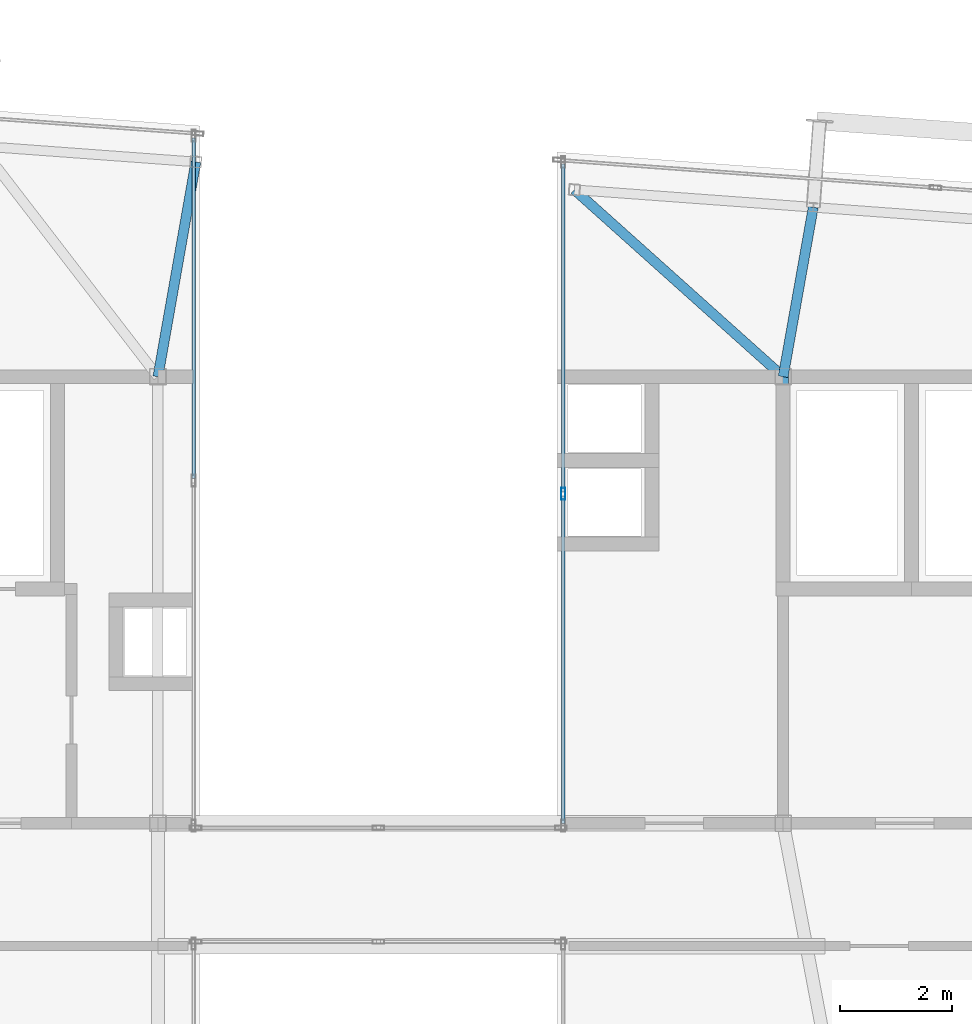
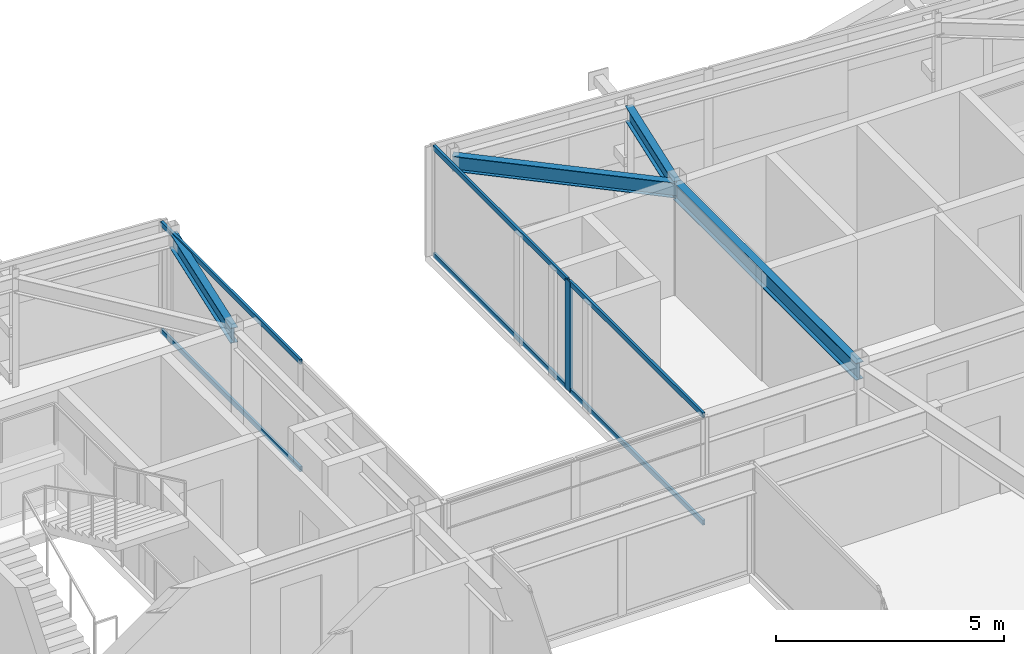
# One storey, part 18 of 39: 7 members, 4 beams, 2 elements without a shape of their own.
"""IFC4 building model written with IfcOpenShell, lengths in metres."""

from ifc_helpers import new_model, si_unit, direction, frame, origin, origin_2d, place, context, subcontext, project, spatial, hollow_rectangle, i_section, extrude, source, transform, mapped, material, layer, layer_set, material_profile, profile_set, type_object, element, aggregate, save


model = new_model("IFC4")

# Units and contexts
model_context = context("Model", 3, precision=1e-05, world=origin(), true_north=direction((0.0, 1.0)))
body_context = subcontext(model_context, "Body", "Model", "MODEL_VIEW")
ifc_project = project(units=[si_unit("LENGTHUNIT", "METRE"), si_unit("AREAUNIT", "SQUARE_METRE"), si_unit("VOLUMEUNIT", "CUBIC_METRE"), si_unit("PLANEANGLEUNIT", "RADIAN"), si_unit("MASSUNIT", "GRAM", prefix="KILO")], contexts=[model_context])

# Site, building, storey
site_placement = place(None, origin())
site = spatial("IfcSite", under=ifc_project, at=site_placement, CompositionType="ELEMENT")
building_placement = place(site_placement, origin())
building = spatial("IfcBuilding", under=site, at=building_placement, Name="Taldren Reach Tower", CompositionType="ELEMENT")
storey_placement = place(building_placement, frame((0.0, 0.0, 230.300048828125)))
storey = spatial("IfcBuildingStorey", under=building, at=storey_placement, Name="L70", CompositionType="ELEMENT", Elevation=230.300048828125)

# Beams
ifc_material_1 = material(Name="Steel Gr 350 (350PLUS)", Category="steel")
ifc_material_profile_1 = material_profile(ifc_material_1, i_section(OverallWidth=0.19091796875, OverallDepth=0.4599609375, WebThickness=0.010009765625, FlangeThickness=0.01611328125, at=origin_2d()), Name="460UB82.1")
ifc_profile_set_1 = profile_set([ifc_material_profile_1], Name="Steel Gr 350 (350PLUS)")
beam_type_1 = type_object("IfcBeamType", Name="BM-UB460A", PredefinedType="BEAM", material=ifc_profile_set_1)
shared_shape_1 = source(origin(), body_context, "Body", "SweptSolid", [
    extrude(i_section(OverallWidth=0.19091796875, OverallDepth=0.4599609375, WebThickness=0.010009765625, FlangeThickness=0.01611328125, at=origin_2d()), origin(), (0.0, 0.0, 1.0), 8.0),
])
beam_1_placement = place(storey_placement, frame((39.199951171875, 24.0, 2.699951171875), z_axis=(0.0, 1.0, 0.0), x_axis=(-1.0, 0.0, 0.0)))
element("IfcBeam", 1, at=beam_1_placement, inside=storey, type_object=beam_type_1, Name="Core-spine girder L70-SP08", PredefinedType="BEAM", context=body_context, shape_type="MappedRepresentation", body=[
    mapped(shared_shape_1, transform((0.0, 0.0, 0.0), scale=1.0)),
])
ifc_material_profile_2 = material_profile(ifc_material_1, i_section(OverallWidth=0.177978515625, OverallDepth=0.406005859375, WebThickness=0.0078125, FlangeThickness=0.0126953125, at=origin_2d()), Name="410UB59.7")
ifc_profile_set_2 = profile_set([ifc_material_profile_2], Name="Steel Gr 350 (350PLUS)")
beam_type_2 = type_object("IfcBeamType", Name="BM-UB410", PredefinedType="BEAM", material=ifc_profile_set_2)
shared_shape_2 = source(origin(), body_context, "Body", "SweptSolid", [
    extrude(i_section(OverallWidth=0.177978515625, OverallDepth=0.406005859375, WebThickness=0.0078125, FlangeThickness=0.0126953125, at=origin_2d()), origin(), (0.0, 0.0, 1.0), 3.0830078125),
])
beam_2_placement = place(storey_placement, frame((39.199951171875, 32.0, 2.72705078125), z_axis=(0.17500945263, 0.984566753191, 0.0), x_axis=(-0.984566753191, 0.17500945263, 0.0)))
element("IfcBeam", 2, at=beam_2_placement, inside=storey, type_object=beam_type_2, Name="Primary floor girder B5-N4 L70", PredefinedType="BEAM", context=body_context, shape_type="MappedRepresentation", body=[
    mapped(shared_shape_2, transform((0.0, 0.0, 0.0), scale=1.0)),
])
shared_shape_3 = source(origin(), body_context, "Body", "SweptSolid", [
    extrude(i_section(OverallWidth=0.177978515625, OverallDepth=0.406005859375, WebThickness=0.0078125, FlangeThickness=0.0126953125, at=origin_2d()), origin(), (0.0, 0.0, 1.0), 5.02001953125),
])
beam_3_placement = place(storey_placement, frame((39.199951171875, 32.0, 2.72705078125), z_axis=(-0.744827782377, 0.667256753132, 0.0), x_axis=(-0.667256753132, -0.744827782377, 0.0)))
element("IfcBeam", 3, at=beam_3_placement, inside=storey, type_object=beam_type_2, Name="Primary floor girder B5-PJN2 L70", PredefinedType="BEAM", context=body_context, shape_type="MappedRepresentation", body=[
    mapped(shared_shape_3, transform((0.0, 0.0, 0.0), scale=1.0)),
])
shared_shape_4 = source(origin(), body_context, "Body", "SweptSolid", [
    extrude(i_section(OverallWidth=0.177978515625, OverallDepth=0.406005859375, WebThickness=0.0078125, FlangeThickness=0.0126953125, at=origin_2d()), origin(), (0.0, 0.0, 1.0), 3.9072265625),
])
beam_4_placement = place(storey_placement, frame((28.0, 32.0, 2.72705078125), z_axis=(0.173835238379, 0.984774750843, 0.0), x_axis=(-0.984774750843, 0.173835238379, 0.0)))
element("IfcBeam", 4, at=beam_4_placement, inside=storey, type_object=beam_type_2, Name="Primary floor girder B5-PJN1 L70", PredefinedType="BEAM", context=body_context, shape_type="MappedRepresentation", body=[
    mapped(shared_shape_4, transform((0.0, 0.0, 0.0), scale=1.0)),
])

# Curtain wall, member
ifc_material_2 = material(Name="Aluminium and Low-E Glass Unitised System", Category="aluminium")
ifc_layer = layer(ifc_material_2, 0.159912109375)
ifc_layer_set = layer_set([ifc_layer], Name="Aluminium and Low-E Glass Unitised System")
curtain_wall_type = type_object("IfcCurtainWallType", Name="CW-SYS-7", PredefinedType="NOTDEFINED", material=ifc_layer_set)
curtain_wall_1_placement = place(storey_placement, origin())
curtain_wall_1 = element("IfcCurtainWall", 5, at=curtain_wall_1_placement, inside=storey, type_object=curtain_wall_type, Name="Unitised curtain wall CW7-L70-PNE", PredefinedType="NOTDEFINED")
ifc_material_3 = material(Name="Anodised Aluminium 6063-T6", Category="aluminium")
ifc_material_profile_3 = material_profile(ifc_material_3, hollow_rectangle(XDim=0.074951171875, YDim=0.2099609375, WallThickness=0.00439453125, at=origin_2d()), Name="ALU-210x75x4.5RHS")
ifc_profile_set_3 = profile_set([ifc_material_profile_3], Name="Anodised Aluminium 6063-T6")
member_type_1 = type_object("IfcMemberType", Name="CW-MUL-200", PredefinedType="MULLION", material=ifc_profile_set_3)
shared_shape_5 = source(origin(), body_context, "Body", "SweptSolid", [
    extrude(hollow_rectangle(XDim=0.074951171875, YDim=0.2099609375, WallThickness=0.00439453125, at=origin_2d()), origin(), (0.0, 0.0, 1.0), 2.929931640625),
])
member_1_placement = place(storey_placement, frame((35.260009765625, 29.90185546875, 0.0), z_axis=(0.0, 0.0, 1.0), x_axis=(1.0, 0.0, 0.0)))
member_1 = element("IfcMember", 6, at=member_1_placement, type_object=member_type_1, Name="CW-7 mullion 2", PredefinedType="MULLION", context=body_context, shape_type="MappedRepresentation", body=[
    mapped(shared_shape_5, transform((0.0, 0.0, 0.0), scale=1.0)),
])

# Curtain wall, members
curtain_wall_2_placement = place(storey_placement, origin())
curtain_wall_2 = element("IfcCurtainWall", 7, at=curtain_wall_2_placement, inside=storey, type_object=curtain_wall_type, Name="Unitised curtain wall CW7-L70-PNW", PredefinedType="NOTDEFINED")
ifc_material_profile_4 = material_profile(ifc_material_3, hollow_rectangle(XDim=0.06005859375, YDim=0.135009765625, WallThickness=0.00341796875, at=origin_2d()), Name="ALU-135x60x3.5RHS")
ifc_profile_set_4 = profile_set([ifc_material_profile_4], Name="Anodised Aluminium 6063-T6")
member_type_2 = type_object("IfcMemberType", Name="CW-TRN-150", PredefinedType="USERDEFINED", material=ifc_profile_set_4)
shared_shape_6 = source(origin(), body_context, "Body", "SweptSolid", [
    extrude(hollow_rectangle(XDim=0.06005859375, YDim=0.135009765625, WallThickness=0.00341796875, at=origin_2d()), origin(), (0.0, 0.0, 1.0), 6.1044921875),
])
member_2_placement = place(storey_placement, frame((28.639892578125, 30.17431640625, 0.030029296875), z_axis=(0.0, 1.0, 0.0), x_axis=(-1.0, 0.0, 0.0)))
member_2 = element("IfcMember", 8, at=member_2_placement, type_object=member_type_2, Name="CW-7 transom 2.1", ObjectType="TRANSOM", PredefinedType="USERDEFINED", context=body_context, shape_type="MappedRepresentation", body=[
    mapped(shared_shape_6, transform((0.0, 0.0, 0.0), scale=1.0)),
])
member_3_placement = place(storey_placement, frame((28.639892578125, 30.17431640625, 2.89990234375), z_axis=(0.0, 1.0, 0.0), x_axis=(-1.0, 0.0, 0.0)))
member_3 = element("IfcMember", 9, at=member_3_placement, type_object=member_type_2, Name="CW-7 transom 2.2", ObjectType="TRANSOM", PredefinedType="USERDEFINED", context=body_context, shape_type="MappedRepresentation", body=[
    mapped(shared_shape_6, transform((0.0, 0.0, 0.0), scale=1.0)),
])
aggregate(curtain_wall_2, [member_2, member_3])

# Member
shared_shape_7 = source(origin(), body_context, "Body", "SweptSolid", [
    extrude(hollow_rectangle(XDim=0.06005859375, YDim=0.135009765625, WallThickness=0.00341796875, at=origin_2d()), origin(), (0.0, 0.0, 1.0), 5.869384765625),
])
member_4_placement = place(storey_placement, frame((35.260009765625, 35.808837890625, 0.030029296875), z_axis=(0.0, -1.0, 0.0), x_axis=(1.0, 0.0, 0.0)))
member_4 = element("IfcMember", 10, at=member_4_placement, type_object=member_type_2, Name="CW-7 transom 1.1", ObjectType="TRANSOM", PredefinedType="USERDEFINED", context=body_context, shape_type="MappedRepresentation", body=[
    mapped(shared_shape_7, transform((0.0, 0.0, 0.0), scale=1.0)),
])

member_5_placement = place(storey_placement, frame((35.260009765625, 35.808837890625, 2.89990234375), z_axis=(0.0, -1.0, 0.0), x_axis=(1.0, 0.0, 0.0)))
member_5 = element("IfcMember", 11, at=member_5_placement, type_object=member_type_2, Name="CW-7 transom 1.2", ObjectType="TRANSOM", PredefinedType="USERDEFINED", context=body_context, shape_type="MappedRepresentation", body=[
    mapped(shared_shape_7, transform((0.0, 0.0, 0.0), scale=1.0)),
])

member_6_placement = place(storey_placement, frame((35.260009765625, 29.864501953125, 0.030029296875), z_axis=(0.0, -1.0, 0.0), x_axis=(1.0, 0.0, 0.0)))
member_6 = element("IfcMember", 12, at=member_6_placement, type_object=member_type_2, Name="CW-7 transom 2.1", ObjectType="TRANSOM", PredefinedType="USERDEFINED", context=body_context, shape_type="MappedRepresentation", body=[
    mapped(shared_shape_7, transform((0.0, 0.0, 0.0), scale=1.0)),
])

member_7_placement = place(storey_placement, frame((35.260009765625, 29.864501953125, 2.89990234375), z_axis=(0.0, -1.0, 0.0), x_axis=(1.0, 0.0, 0.0)))
member_7 = element("IfcMember", 13, at=member_7_placement, type_object=member_type_2, Name="CW-7 transom 2.2", ObjectType="TRANSOM", PredefinedType="USERDEFINED", context=body_context, shape_type="MappedRepresentation", body=[
    mapped(shared_shape_7, transform((0.0, 0.0, 0.0), scale=1.0)),
])

aggregate(curtain_wall_1, [member_1, member_4, member_5, member_6, member_7])

save(model, "model.ifc")
